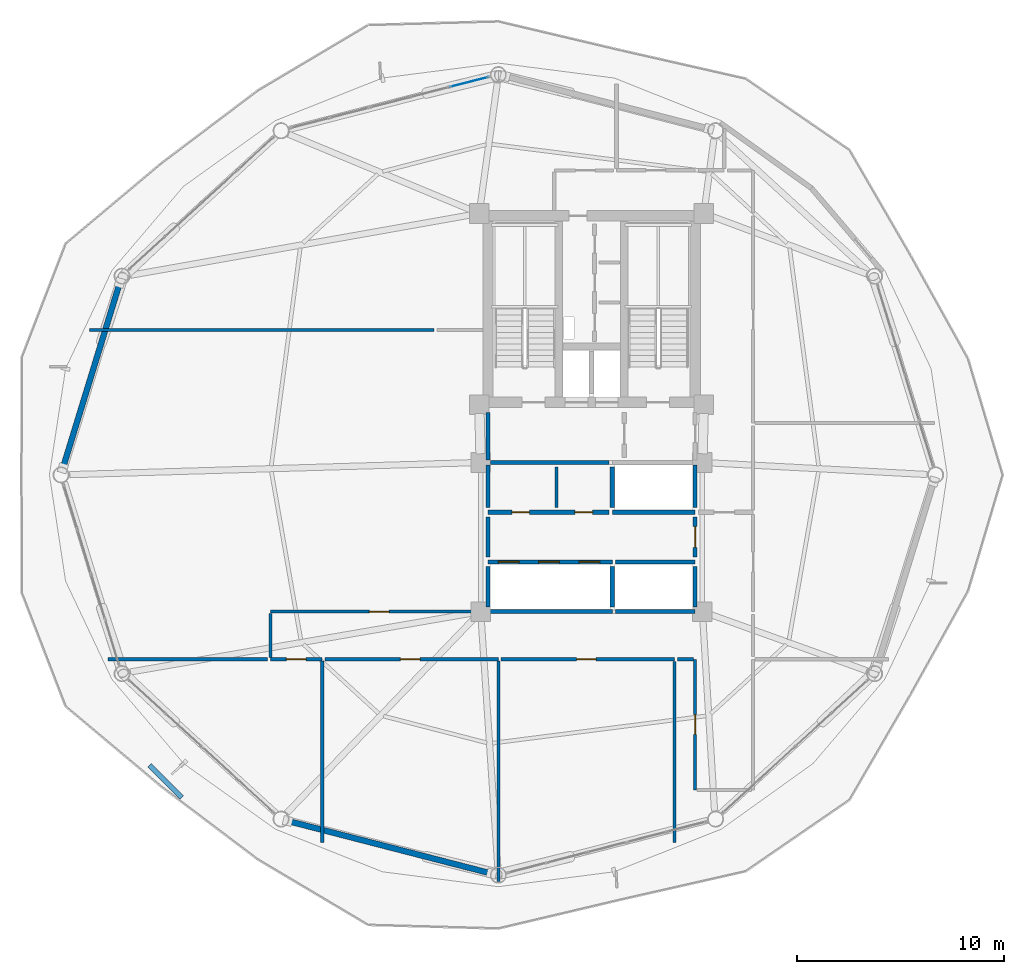
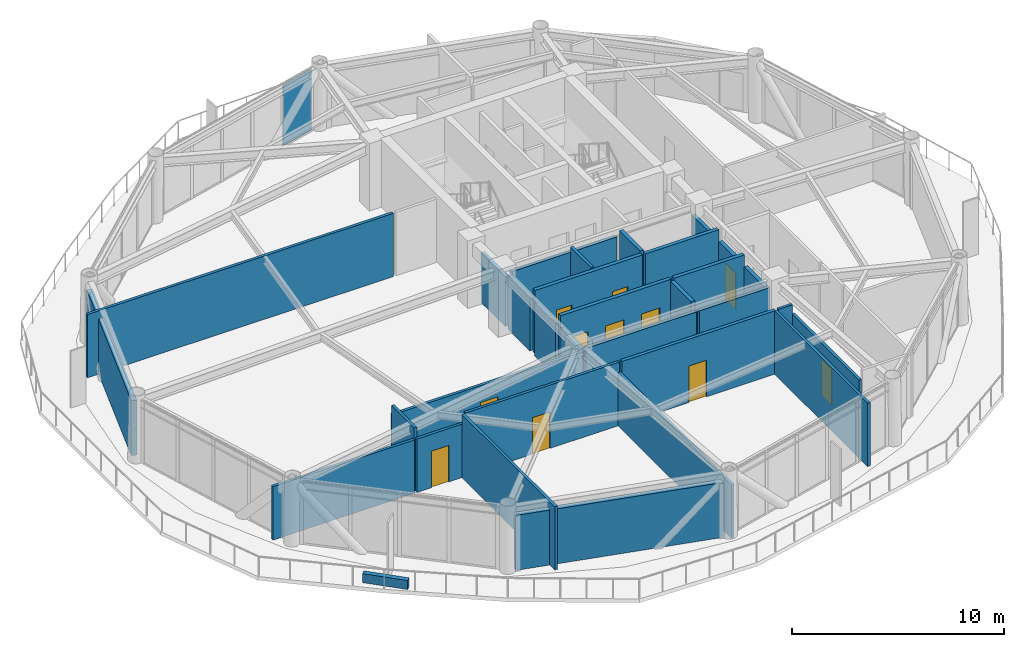
# One storey, part 18 of 23: 32 walls, 11 doors, 1 plate, 11 openings, 1 element without a shape of its own.
"""IFC4 building model written with IfcOpenShell, lengths in metres."""

import ifcopenshell
import ifcopenshell.guid

model = None  # the IFC model being written
_history = None  # IfcOwnerHistory: only IFC2X3 demands one
_inside = {}  # id of a spatial element -> (the spatial element, [elements in it])
_under = {}  # id of a project, library or spatial element -> (it, [spatial elements below it])
_declared = {}  # id of a project -> (the project, [libraries it declares])
_typed = {}  # id of a type object -> (the type object, [elements of that type])
_made_of = {}  # id of a material, layer set ... -> (it, [elements and type objects made of it])


def new_model(schema):
    """Start an empty IFC model of exactly this schema.

    Asked for "IFC4X3", IfcOpenShell would pick the latest addendum, in which some entities
    have other attributes; the version numbers below select the first issue.
    IFC2X3 requires an IfcOwnerHistory on every rooted entity: one is made here for all.
    """
    global model, _history
    if schema == "IFC4X3":
        model = ifcopenshell.file(schema_version=(4, 3, 0, 0))
    else:
        model = ifcopenshell.file(schema=schema)
    _inside.clear()
    _under.clear()
    _declared.clear()
    _typed.clear()
    _made_of.clear()
    _history = None
    if model.schema == "IFC2X3":
        org = make("IfcOrganization", Name="unknown")
        user = make(
            "IfcPersonAndOrganization",
            ThePerson=make("IfcPerson", FamilyName="unknown"),
            TheOrganization=org,
        )
        app = make(
            "IfcApplication",
            ApplicationDeveloper=org,
            Version="unknown",
            ApplicationFullName="unknown",
            ApplicationIdentifier="unknown",
        )
        _history = make(
            "IfcOwnerHistory",
            OwningUser=user,
            OwningApplication=app,
            ChangeAction="ADDED",
            CreationDate=0,
        )
    return model


def make(cls, **values):
    """One entity of the class cls with the attributes given. An attribute that is None is left unset."""
    return model.create_entity(
        cls, **{name: value for name, value in values.items() if value is not None}
    )


def rooted(cls, **values):
    """An entity with a GlobalId (a new one), such as an element, a storey or a relation."""
    return make(cls, GlobalId=ifcopenshell.guid.new(), OwnerHistory=_history, **values)


def si_unit(unit_type, name, prefix=None):
    """IfcSIUnit, for example si_unit("LENGTHUNIT", "METRE", prefix="MILLI")."""
    return make("IfcSIUnit", UnitType=unit_type, Prefix=prefix, Name=name)


def assignment(units):
    """IfcUnitAssignment: the units of a project."""
    return None if units is None else make("IfcUnitAssignment", Units=units)


def point(xyz):
    """IfcCartesianPoint."""
    return None if xyz is None else make("IfcCartesianPoint", Coordinates=xyz)


def direction(xyz):
    """IfcDirection."""
    return None if xyz is None else make("IfcDirection", DirectionRatios=xyz)


def frame(location, z_axis=None, x_axis=None):
    """IfcAxis2Placement3D, a coordinate frame: its origin and axes. An axis left out is left unset."""
    return make(
        "IfcAxis2Placement3D",
        Location=point(location),
        Axis=direction(z_axis),
        RefDirection=direction(x_axis),
    )


def frame_2d(location, x_axis=None):
    """IfcAxis2Placement2D, a coordinate frame in the plane: its origin and x axis."""
    return make(
        "IfcAxis2Placement2D", Location=point(location), RefDirection=direction(x_axis)
    )


def origin():
    """The frame at (0, 0, 0) with its axes left unset."""
    return frame((0.0, 0.0, 0.0))


def origin_2d():
    """The frame at (0, 0) in the plane with its x axis left unset."""
    return frame_2d((0.0, 0.0))


def place(relative_to, where):
    """IfcLocalPlacement: puts the frame where relative to a parent placement (None: the world)."""
    return make(
        "IfcLocalPlacement", PlacementRelTo=relative_to, RelativePlacement=where
    )


def context(
    kind, dimensions, precision=None, world=None, true_north=None, identifier=None
):
    """IfcGeometricRepresentationContext, for example the 3D "Model" context."""
    return make(
        "IfcGeometricRepresentationContext",
        ContextIdentifier=identifier,
        ContextType=kind,
        CoordinateSpaceDimension=dimensions,
        Precision=precision,
        WorldCoordinateSystem=world,
        TrueNorth=true_north,
    )


def subcontext(parent, identifier, kind, view, scale=None):
    """IfcGeometricRepresentationSubContext, for example "Body" below "Model"."""
    return make(
        "IfcGeometricRepresentationSubContext",
        ContextIdentifier=identifier,
        ContextType=kind,
        ParentContext=parent,
        TargetScale=scale,
        TargetView=view,
    )


def project(units=None, contexts=None):
    """IfcProject with its units and contexts."""
    return rooted(
        "IfcProject",
        Name="project",
        RepresentationContexts=contexts,
        UnitsInContext=assignment(units),
    )


def spatial(cls, under=None, at=None, **own):
    """A site, building, storey or space (cls), placed at a placement, below another one or the project."""
    s = rooted(cls, ObjectPlacement=at, **own)
    if under is not None:
        _under.setdefault(under.id(), (under, []))[1].append(s)
    return s


def profile(cls, at=None, kind="AREA", **sizes):
    """A parametric profile (cls). Its sizes go by their IFC names, for example OverallWidth=200.0."""
    return make(cls, ProfileType=kind, Position=at, **sizes)


def rectangle(**sizes):
    """IfcRectangleProfileDef."""
    return profile("IfcRectangleProfileDef", **sizes)


def extrude(swept, where, along, depth):
    """IfcExtrudedAreaSolid: the profile swept, set in the frame where, extruded along a direction by depth."""
    return make(
        "IfcExtrudedAreaSolid",
        SweptArea=swept,
        Position=where,
        ExtrudedDirection=direction(along),
        Depth=depth,
    )


def shape(context_of_items, identifier, shape_type, items):
    """IfcShapeRepresentation: the items that make up one representation, for example the "Body"."""
    return make(
        "IfcShapeRepresentation",
        ContextOfItems=context_of_items,
        RepresentationIdentifier=identifier,
        RepresentationType=shape_type,
        Items=items,
    )


def source(mapping_origin, context_of_items, identifier, shape_type, items):
    """IfcRepresentationMap: a shape defined once, which mapped items show again and again."""
    return make(
        "IfcRepresentationMap",
        MappingOrigin=mapping_origin,
        MappedRepresentation=shape(context_of_items, identifier, shape_type, items),
    )


def transform(
    local_origin,
    x_axis=None,
    y_axis=None,
    z_axis=None,
    scale=None,
    scale2=None,
    scale3=None,
    uniform=True,
):
    """IfcCartesianTransformationOperator3D, or its non-uniform kind. x_axis, y_axis, z_axis: its Axis1, 2, 3."""
    if uniform:
        return make(
            "IfcCartesianTransformationOperator3D",
            Axis1=direction(x_axis),
            Axis2=direction(y_axis),
            LocalOrigin=point(local_origin),
            Scale=scale,
            Axis3=direction(z_axis),
        )
    return make(
        "IfcCartesianTransformationOperator3DnonUniform",
        Axis1=direction(x_axis),
        Axis2=direction(y_axis),
        LocalOrigin=point(local_origin),
        Scale=scale,
        Axis3=direction(z_axis),
        Scale2=scale2,
        Scale3=scale3,
    )


def mapped(mapping_source, mapping_target):
    """IfcMappedItem: shows the shape of a source again, moved by a transform."""
    return make(
        "IfcMappedItem", MappingSource=mapping_source, MappingTarget=mapping_target
    )


def material(Name=None, Category=None):
    """IfcMaterial."""
    return make("IfcMaterial", Name=Name, Category=Category)


def layer(
    of_material, thickness, ventilated=None, Name=None, Category=None, Priority=None
):
    """IfcMaterialLayer: one layer of a wall or slab, of a material (None: an air gap)."""
    return make(
        "IfcMaterialLayer",
        Material=of_material,
        LayerThickness=thickness,
        IsVentilated=ventilated,
        Name=Name,
        Category=Category,
        Priority=Priority,
    )


def layer_set(layers, Name=None):
    """IfcMaterialLayerSet."""
    return make("IfcMaterialLayerSet", MaterialLayers=layers, LayerSetName=Name)


def made_of(thing, what):
    """Note that an element or type object is made of a material, layer set ...; save() writes the relation."""
    if what is not None:
        _made_of.setdefault(what.id(), (what, []))[1].append(thing)
    return thing


def type_object(cls, material=None, **own):
    """A type object (cls), such as IfcWallType, which elements share."""
    return made_of(rooted(cls, **own), material)


def type_shapes(of_type, sources):
    """Give a type object the sources (RepresentationMaps) that its elements show as mapped items."""
    of_type.RepresentationMaps = sources


def element(
    cls,
    number,
    at=None,
    inside=None,
    cuts=None,
    type_object=None,
    material=None,
    context=None,
    identifier="Body",
    shape_type=None,
    held_by="IfcProductDefinitionShape",
    body=None,
    shapes=None,
    **own,
):
    """One element of the class cls, such as IfcWall. Its Tag is "e" and its number.

    at: its placement. inside: the storey or other place that contains it. cuts: it is an
    opening in that element (IfcRelVoidsElement). A single representation is given by context,
    identifier, shape_type and body (its items); several are given by shapes. held_by: the class
    of the entity that holds the representations. save() writes the other relations.
    """
    e = rooted(cls, Tag="e%d" % number, ObjectPlacement=at, **own)
    if body is not None:
        shapes = [shape(context, identifier, shape_type, body)]
    if shapes is not None:
        e.Representation = make(held_by, Representations=shapes)
    if inside is not None:
        _inside.setdefault(inside.id(), (inside, []))[1].append(e)
    if cuts is not None:
        rooted(
            "IfcRelVoidsElement", RelatingBuildingElement=cuts, RelatedOpeningElement=e
        )
    if type_object is not None:
        _typed.setdefault(type_object.id(), (type_object, []))[1].append(e)
    return made_of(e, material)


def fill(opening, filler):
    """IfcRelFillsElement: the door or window that sits in an opening."""
    return rooted(
        "IfcRelFillsElement",
        RelatingOpeningElement=opening,
        RelatedBuildingElement=filler,
    )


def aggregate(whole, parts):
    """IfcRelAggregates: a whole, such as a stair, and the parts it consists of."""
    return rooted("IfcRelAggregates", RelatingObject=whole, RelatedObjects=parts)


def save(model, path):
    """Write the relations noted so far, then the file.

    IfcRelAggregates (storeys below a building ...), IfcRelContainedInSpatialStructure (elements
    in a storey), IfcRelDefinesByType, IfcRelAssociatesMaterial and IfcRelDeclares: one each for
    every whole, place, type object, material and project.
    """
    for whole, parts in _under.values():
        aggregate(whole, parts)
    for where, things in _inside.values():
        rooted(
            "IfcRelContainedInSpatialStructure",
            RelatedElements=things,
            RelatingStructure=where,
        )
    for kind, things in _typed.values():
        rooted("IfcRelDefinesByType", RelatedObjects=things, RelatingType=kind)
    for what, things in _made_of.values():
        rooted("IfcRelAssociatesMaterial", RelatedObjects=things, RelatingMaterial=what)
    for by, libraries in _declared.values():
        rooted("IfcRelDeclares", RelatingContext=by, RelatedDefinitions=libraries)
    model.write(path)


model = new_model("IFC4")

# Units and contexts
model_context = context("Model", 3, precision=1e-05, world=origin(), true_north=direction((0.0, 1.0)))
body_context = subcontext(model_context, "Body", "Model", "MODEL_VIEW")
ifc_project = project(units=[si_unit("LENGTHUNIT", "METRE"), si_unit("AREAUNIT", "SQUARE_METRE"), si_unit("VOLUMEUNIT", "CUBIC_METRE"), si_unit("PLANEANGLEUNIT", "RADIAN"), si_unit("MASSUNIT", "GRAM", prefix="KILO")], contexts=[model_context])

# Site, building, storey
site_placement = place(None, origin())
site = spatial("IfcSite", under=ifc_project, at=site_placement, CompositionType="ELEMENT")
building_placement = place(site_placement, origin())
building = spatial("IfcBuilding", under=site, at=building_placement, Name="Varnakorn Sky Granary", CompositionType="ELEMENT")
storey_placement = place(building_placement, frame((0.0, 0.0, 130.5)))
storey = spatial("IfcBuildingStorey", under=building, at=storey_placement, Name="L32", CompositionType="ELEMENT", Elevation=130.5)

# Curtain wall, plate
ifc_material_1 = material(Name="Anodised Bronze Aluminium Alloy 6063-T6", Category="aluminium")
ifc_layer_1 = layer(ifc_material_1, 0.179931640625, Name="Anodised Bronze Aluminium Alloy 6063-T6")
ifc_layer_set_1 = layer_set([ifc_layer_1], Name="Anodised Bronze Aluminium Alloy 6063-T6")
curtain_wall_type = type_object("IfcCurtainWallType", Name="CW-FRM-2", PredefinedType="USERDEFINED", material=ifc_layer_set_1)
curtain_wall_placement = place(storey_placement, origin())
curtain_wall = element("IfcCurtainWall", 1, at=curtain_wall_placement, inside=storey, type_object=curtain_wall_type, Name="Unitised Curtain Wall CW4 CW-L32-B04", ObjectType="CURTAIN WALL", PredefinedType="USERDEFINED")
ifc_material_2 = material(Name="Opaque Insulated Aluminium Shadow-Box Unit", Category="aluminium")
ifc_layer_2 = layer(ifc_material_2, 0.02587890625, Name="Opaque Insulated Aluminium Shadow-Box Unit")
ifc_layer_set_2 = layer_set([ifc_layer_2], Name="Opaque Insulated Aluminium Shadow-Box Unit")
plate_type = type_object("IfcPlateType", Name="CW-FRM-2-PNL", PredefinedType="CURTAIN_PANEL")
shared_shape = source(origin(), body_context, "Body", "SweptSolid", [
    extrude(rectangle(XDim=1.885498046875, YDim=0.02587890625, at=origin_2d()), origin(), (0.0, 0.0, 1.0), 3.510009765625),
])
type_shapes(plate_type, [shared_shape])
plate_placement = place(storey_placement, frame((-2.90771484375, 18.962890625, 0.06494140625), z_axis=(0.0, 0.0, 1.0), x_axis=(0.968303276034, 0.249777432172, 0.0)))
plate = element("IfcPlate", 2, at=plate_placement, type_object=plate_type, material=ifc_layer_set_2, Name="CW4 opaque insulated shadow-box unit 5.1", PredefinedType="CURTAIN_PANEL", context=body_context, shape_type="MappedRepresentation", body=[
    mapped(shared_shape, transform((0.0, 0.0, 0.0), x_axis=(1.0, 0.0, 0.0), y_axis=(0.0, 1.0, 0.0), z_axis=(0.0, 0.0, 1.0), scale=1.0)),
])
aggregate(curtain_wall, [plate])

# Walls
ifc_material_3 = material(Name="Precast concrete C40/50", Category="concrete")
ifc_layer_3 = layer(ifc_material_3, 0.280029296875, Name="Precast concrete C40/50")
ifc_layer_set_3 = layer_set([ifc_layer_3], Name="Precast concrete C40/50")
wall_type_1 = type_object("IfcWallType", Name="WT-EW-CRN-280", PredefinedType="SOLIDWALL", material=ifc_layer_set_3)
wall_1_placement = place(storey_placement, frame((-22.518310546875, 0.3212890625, 0.0), z_axis=(0.0, 0.0, 1.0), x_axis=(0.293497787305, 0.955959752734, 0.0)))
element("IfcWall", 3, at=wall_1_placement, inside=storey, type_object=wall_type_1, Name="Agritech Insulated Precast Facade Wall L32-P06", PredefinedType="SOLIDWALL", context=body_context, shape_type="SweptSolid", body=[
    extrude(rectangle(XDim=9.365478515625, YDim=0.280029296875, at=frame_2d((4.6826171875, 0.0))), origin(), (0.0, 0.0, 1.0), 3.159912109375),
])
wall_2_placement = place(storey_placement, frame((-1.825439453125, -19.2421875, 0.0), z_axis=(0.0, 0.0, 1.0), x_axis=(-0.968302257356, 0.249781381211, 0.0)))
element("IfcWall", 4, at=wall_2_placement, inside=storey, type_object=wall_type_1, Name="Agritech Insulated Precast Facade Wall L32-P09", PredefinedType="SOLIDWALL", context=body_context, shape_type="SweptSolid", body=[
    extrude(rectangle(XDim=10.162109375, YDim=0.280029296875, at=frame_2d((5.0810546875, 0.0))), origin(), (0.0, 0.0, 1.0), 3.159912109375),
])

# Wall, opening, door
ifc_material_4 = material(Name="Autoclaved Aerated Concrete Blockwork", Category="masonry")
ifc_layer_4 = layer(ifc_material_4, 0.199951171875, Name="Autoclaved Aerated Concrete Blockwork")
ifc_layer_set_4 = layer_set([ifc_layer_4], Name="Autoclaved Aerated Concrete Blockwork")
wall_type_2 = type_object("IfcWallType", Name="WT-FIRE-200", PredefinedType="MOVABLE", material=ifc_layer_set_4)
wall_3_placement = place(storey_placement, frame((8.0, -3.969970703125, 0.0), z_axis=(0.0, 0.0, 1.0), x_axis=(0.0, 1.0, 0.0)))
wall_3 = element("IfcWall", 5, at=wall_3_placement, inside=storey, type_object=wall_type_2, Name="Interior Partition Wall L32-016", PredefinedType="MOVABLE", context=body_context, shape_type="SweptSolid", body=[
    extrude(rectangle(XDim=1.93994140625, YDim=0.199951171875, at=frame_2d((0.969970703125, 0.0))), origin(), (0.0, 0.0, 1.0), 3.072021484375),
])
opening_1_placement = place(wall_3_placement, frame((0.469970703125, 0.0, 0.0)))
opening_1 = element("IfcOpeningElement", 6, at=opening_1_placement, cuts=wall_3, Name="Opening FD-60", PredefinedType="OPENING", context=body_context, shape_type="SweptSolid", body=[
    extrude(rectangle(XDim=1.0, YDim=2.10009765625, at=frame_2d((0.5, 1.050048828125))), frame((0.0, 0.10986328125, 0.0), z_axis=(0.0, -1.0, 0.0), x_axis=(1.0, 0.0, 0.0)), (0.0, 0.0, 1.0), 0.219970703125),
])
ifc_material_5 = material(Name="Acoustic Timber Fire Leaf", Category="wood")
door_type_1 = type_object("IfcDoorType", Name="DR-FD60-1000", OperationType="NOTDEFINED", PredefinedType="DOOR", material=ifc_material_5)
door_1_placement = place(opening_1_placement, origin())
door_1 = element("IfcDoor", 7, at=door_1_placement, inside=storey, type_object=door_type_1, Name="Interior Door L32-016-1", OperationType="SINGLE_SWING_RIGHT", OverallHeight=2.10009765625, OverallWidth=1.0, PredefinedType="DOOR", context=body_context, shape_type="SweptSolid", body=[
    extrude(rectangle(XDim=1.0, YDim=2.10009765625, at=frame_2d((0.5, 1.050048828125))), frame((0.0, 0.02490234375, 0.0), z_axis=(0.0, -1.0, 0.0), x_axis=(1.0, 0.0, 0.0)), (0.0, 0.0, 1.0), 0.050048828125),
])
fill(opening_1, door_1)

# Wall, openings, doors
wall_4_placement = place(storey_placement, frame((-2.0, -1.800048828125, 0.0), z_axis=(0.0, 0.0, 1.0), x_axis=(1.0, 0.0, 0.0)))
wall_4 = element("IfcWall", 8, at=wall_4_placement, inside=storey, type_object=wall_type_2, Name="Interior Partition Wall L32-017", PredefinedType="MOVABLE", context=body_context, shape_type="SweptSolid", body=[
    extrude(rectangle(XDim=5.840087890625, YDim=0.199951171875, at=frame_2d((2.919921875, 0.0))), origin(), (0.0, 0.0, 1.0), 3.639892578125),
])
opening_2_placement = place(wall_4_placement, frame((1.14990234375, 0.0, 0.0)))
opening_2 = element("IfcOpeningElement", 9, at=opening_2_placement, cuts=wall_4, Name="Opening FD-60N", PredefinedType="OPENING", context=body_context, shape_type="SweptSolid", body=[
    extrude(rectangle(XDim=0.85009765625, YDim=2.10009765625, at=frame_2d((0.425048828125, 1.050048828125))), frame((0.0, 0.10986328125, 0.0), z_axis=(0.0, -1.0, 0.0), x_axis=(1.0, 0.0, 0.0)), (0.0, 0.0, 1.0), 0.219970703125),
])
opening_3_placement = place(wall_4_placement, frame((4.199951171875, 0.0, 0.0)))
opening_3 = element("IfcOpeningElement", 10, at=opening_3_placement, cuts=wall_4, Name="Opening FD-60N", PredefinedType="OPENING", context=body_context, shape_type="SweptSolid", body=[
    extrude(rectangle(XDim=0.85009765625, YDim=2.10009765625, at=frame_2d((0.425048828125, 1.050048828125))), frame((0.0, 0.10986328125, 0.0), z_axis=(0.0, -1.0, 0.0), x_axis=(1.0, 0.0, 0.0)), (0.0, 0.0, 1.0), 0.219970703125),
])
door_type_2 = type_object("IfcDoorType", Name="DR-FD60-850", OperationType="NOTDEFINED", PredefinedType="DOOR", material=ifc_material_5)
door_2_placement = place(opening_2_placement, origin())
door_2 = element("IfcDoor", 11, at=door_2_placement, inside=storey, type_object=door_type_2, Name="Interior Door L32-017-1", OperationType="SINGLE_SWING_LEFT", OverallHeight=2.10009765625, OverallWidth=0.85009765625, PredefinedType="DOOR", context=body_context, shape_type="SweptSolid", body=[
    extrude(rectangle(XDim=0.85009765625, YDim=2.10009765625, at=frame_2d((0.425048828125, 1.050048828125))), frame((0.0, 0.02490234375, 0.0), z_axis=(0.0, -1.0, 0.0), x_axis=(1.0, 0.0, 0.0)), (0.0, 0.0, 1.0), 0.050048828125),
])
fill(opening_2, door_2)
door_3_placement = place(opening_3_placement, origin())
door_3 = element("IfcDoor", 12, at=door_3_placement, inside=storey, type_object=door_type_2, Name="Interior Door L32-017-2", OperationType="SINGLE_SWING_RIGHT", OverallHeight=2.10009765625, OverallWidth=0.85009765625, PredefinedType="DOOR", context=body_context, shape_type="SweptSolid", body=[
    extrude(rectangle(XDim=0.85009765625, YDim=2.10009765625, at=frame_2d((0.425048828125, 1.050048828125))), frame((0.0, 0.02490234375, 0.0), z_axis=(0.0, -1.0, 0.0), x_axis=(1.0, 0.0, 0.0)), (0.0, 0.0, 1.0), 0.050048828125),
])
fill(opening_3, door_3)

# Walls
wall_5_placement = place(storey_placement, frame((-1.8798828125, 0.60009765625, 0.0), z_axis=(0.0, 0.0, 1.0), x_axis=(1.0, 0.0, 0.0)))
element("IfcWall", 13, at=wall_5_placement, inside=storey, type_object=wall_type_2, Name="Interior Partition Wall L32-030", PredefinedType="MOVABLE", context=body_context, shape_type="SweptSolid", body=[
    extrude(rectangle(XDim=5.719970703125, YDim=0.199951171875, at=frame_2d((2.85986328125, 0.0))), origin(), (0.0, 0.0, 1.0), 3.221923828125),
])
wall_6_placement = place(storey_placement, frame((-2.0, 0.719970703125, 0.0), z_axis=(0.0, 0.0, 1.0), x_axis=(0.0, 1.0, 0.0)))
element("IfcWall", 14, at=wall_6_placement, inside=storey, type_object=wall_type_2, Name="Interior Partition Wall L32-031", PredefinedType="MOVABLE", context=body_context, shape_type="SweptSolid", body=[
    extrude(rectangle(XDim=2.300048828125, YDim=0.199951171875, at=frame_2d((1.14990234375, 0.0))), origin(), (0.0, 0.0, 1.0), 2.8720703125),
])
wall_7_placement = place(storey_placement, frame((-2.0, -3.969970703125, 0.0), z_axis=(0.0, 0.0, 1.0), x_axis=(0.0, 1.0, 0.0)))
element("IfcWall", 15, at=wall_7_placement, inside=storey, type_object=wall_type_2, Name="Interior Partition Wall L32-032", PredefinedType="MOVABLE", context=body_context, shape_type="SweptSolid", body=[
    extrude(rectangle(XDim=1.93994140625, YDim=0.199951171875, at=frame_2d((0.969970703125, 0.0))), origin(), (0.0, 0.0, 1.0), 3.02197265625),
])
wall_8_placement = place(storey_placement, frame((-2.0, -1.570068359375, 0.0), z_axis=(0.0, 0.0, 1.0), x_axis=(0.0, 1.0, 0.0)))
element("IfcWall", 16, at=wall_8_placement, inside=storey, type_object=wall_type_2, Name="Interior Partition Wall L32-034", PredefinedType="MOVABLE", context=body_context, shape_type="SweptSolid", body=[
    extrude(rectangle(XDim=2.050048828125, YDim=0.199951171875, at=frame_2d((1.02490234375, 0.0))), origin(), (0.0, 0.0, 1.0), 3.02197265625),
])

# Wall, opening, door
ifc_material_6 = material(Name="Gypsum Plasterboard on Steel Stud", Category="steel")
ifc_layer_5 = layer(ifc_material_6, 0.14990234375, Name="Gypsum Plasterboard on Steel Stud")
ifc_layer_set_5 = layer_set([ifc_layer_5], Name="Gypsum Plasterboard on Steel Stud")
wall_type_3 = type_object("IfcWallType", Name="WT-PART-150", PredefinedType="PARTITIONING", material=ifc_layer_set_5)
wall_9_placement = place(storey_placement, frame((-12.5, -8.89990234375, 0.0), z_axis=(0.0, 0.0, 1.0), x_axis=(1.0, 0.0, 0.0)))
wall_9 = element("IfcWall", 17, at=wall_9_placement, inside=storey, type_object=wall_type_3, Name="Interior Partition Wall L32-020", PredefinedType="PARTITIONING", context=body_context, shape_type="SweptSolid", body=[
    extrude(rectangle(XDim=2.5, YDim=0.14990234375, at=frame_2d((1.25, 0.0))), origin(), (0.0, 0.0, 1.0), 3.072021484375),
])
opening_4_placement = place(wall_9_placement, frame((0.77490234375, 0.0, 0.0)))
opening_4 = element("IfcOpeningElement", 18, at=opening_4_placement, cuts=wall_9, Name="Opening ID-95", PredefinedType="OPENING", context=body_context, shape_type="SweptSolid", body=[
    extrude(rectangle(XDim=0.949951171875, YDim=2.10009765625, at=frame_2d((0.47509765625, 1.050048828125))), frame((0.0, 0.0849609375, 0.0), z_axis=(0.0, -1.0, 0.0), x_axis=(1.0, 0.0, 0.0)), (0.0, 0.0, 1.0), 0.169921875),
])
ifc_material_7 = material(Name="Solid-Core Teak Veneer Leaf", Category="timber")
door_type_3 = type_object("IfcDoorType", Name="DR-INT-950", OperationType="NOTDEFINED", PredefinedType="DOOR", material=ifc_material_7)
door_4_placement = place(opening_4_placement, origin())
door_4 = element("IfcDoor", 19, at=door_4_placement, inside=storey, type_object=door_type_3, Name="Interior Door L32-020-1", OperationType="SINGLE_SWING_LEFT", OverallHeight=2.10009765625, OverallWidth=0.949951171875, PredefinedType="DOOR", context=body_context, shape_type="SweptSolid", body=[
    extrude(rectangle(XDim=0.949951171875, YDim=2.10009765625, at=frame_2d((0.47509765625, 1.050048828125))), frame((0.0, 0.02490234375, 0.0), z_axis=(0.0, -1.0, 0.0), x_axis=(1.0, 0.0, 0.0)), (0.0, 0.0, 1.0), 0.050048828125),
])
fill(opening_4, door_4)

wall_10_placement = place(storey_placement, frame((-9.864990234375, -8.89990234375, 0.0), z_axis=(0.0, 0.0, 1.0), x_axis=(1.0, 0.0, 0.0)))
wall_10 = element("IfcWall", 20, at=wall_10_placement, inside=storey, type_object=wall_type_3, Name="Interior Partition Wall L32-021", PredefinedType="PARTITIONING", context=body_context, shape_type="SweptSolid", body=[
    extrude(rectangle(XDim=8.364990234375, YDim=0.14990234375, at=frame_2d((4.1826171875, 0.0))), origin(), (0.0, 0.0, 1.0), 3.639892578125),
])
opening_5_placement = place(wall_10_placement, frame((3.639892578125, 0.0, 0.0)))
opening_5 = element("IfcOpeningElement", 21, at=opening_5_placement, cuts=wall_10, Name="Opening ID-95", PredefinedType="OPENING", context=body_context, shape_type="SweptSolid", body=[
    extrude(rectangle(XDim=0.949951171875, YDim=2.10009765625, at=frame_2d((0.47509765625, 1.050048828125))), frame((0.0, 0.0849609375, 0.0), z_axis=(0.0, -1.0, 0.0), x_axis=(1.0, 0.0, 0.0)), (0.0, 0.0, 1.0), 0.169921875),
])
door_5_placement = place(opening_5_placement, origin())
door_5 = element("IfcDoor", 22, at=door_5_placement, inside=storey, type_object=door_type_3, Name="Interior Door L32-021-1", OperationType="SINGLE_SWING_RIGHT", OverallHeight=2.10009765625, OverallWidth=0.949951171875, PredefinedType="DOOR", context=body_context, shape_type="SweptSolid", body=[
    extrude(rectangle(XDim=0.949951171875, YDim=2.10009765625, at=frame_2d((0.47509765625, 1.050048828125))), frame((0.0, 0.02490234375, 0.0), z_axis=(0.0, -1.0, 0.0), x_axis=(1.0, 0.0, 0.0)), (0.0, 0.0, 1.0), 0.050048828125),
])
fill(opening_5, door_5)

wall_11_placement = place(storey_placement, frame((8.0, -8.89990234375, 0.0), z_axis=(0.0, 0.0, 1.0), x_axis=(0.0, -1.0, 0.0)))
wall_11 = element("IfcWall", 23, at=wall_11_placement, inside=storey, type_object=wall_type_3, Name="Interior Partition Wall L32-023", PredefinedType="PARTITIONING", context=body_context, shape_type="SweptSolid", body=[
    extrude(rectangle(XDim=6.300048828125, YDim=0.14990234375, at=frame_2d((3.14990234375, 0.0))), origin(), (0.0, 0.0, 1.0), 3.072021484375),
])
opening_6_placement = place(wall_11_placement, frame((2.675048828125, 0.0, 0.0)))
opening_6 = element("IfcOpeningElement", 24, at=opening_6_placement, cuts=wall_11, Name="Opening ID-95", PredefinedType="OPENING", context=body_context, shape_type="SweptSolid", body=[
    extrude(rectangle(XDim=0.949951171875, YDim=2.10009765625, at=frame_2d((0.47509765625, 1.050048828125))), frame((0.0, 0.0849609375, 0.0), z_axis=(0.0, -1.0, 0.0), x_axis=(1.0, 0.0, 0.0)), (0.0, 0.0, 1.0), 0.169921875),
])
door_6_placement = place(opening_6_placement, origin())
door_6 = element("IfcDoor", 25, at=door_6_placement, inside=storey, type_object=door_type_3, Name="Interior Door L32-023-1", OperationType="SINGLE_SWING_RIGHT", OverallHeight=2.10009765625, OverallWidth=0.949951171875, PredefinedType="DOOR", context=body_context, shape_type="SweptSolid", body=[
    extrude(rectangle(XDim=0.949951171875, YDim=2.10009765625, at=frame_2d((0.47509765625, 1.050048828125))), frame((0.0, 0.02490234375, 0.0), z_axis=(0.0, -1.0, 0.0), x_axis=(1.0, 0.0, 0.0)), (0.0, 0.0, 1.0), 0.050048828125),
])
fill(opening_6, door_6)

wall_12_placement = place(storey_placement, frame((-2.159912109375, -6.60009765625, 0.0), z_axis=(0.0, 0.0, 1.0), x_axis=(-1.0, 0.0, 0.0)))
wall_12 = element("IfcWall", 26, at=wall_12_placement, inside=storey, type_object=wall_type_3, Name="Interior Partition Wall L32-024", PredefinedType="PARTITIONING", context=body_context, shape_type="SweptSolid", body=[
    extrude(rectangle(XDim=10.340087890625, YDim=0.14990234375, at=frame_2d((5.169921875, 0.0))), origin(), (0.0, 0.0, 1.0), 3.072021484375),
])
opening_7_placement = place(wall_12_placement, frame((4.614990234375, 0.0, 0.0)))
opening_7 = element("IfcOpeningElement", 27, at=opening_7_placement, cuts=wall_12, Name="Opening ID-95", PredefinedType="OPENING", context=body_context, shape_type="SweptSolid", body=[
    extrude(rectangle(XDim=0.949951171875, YDim=2.10009765625, at=frame_2d((0.47509765625, 1.050048828125))), frame((0.0, 0.0849609375, 0.0), z_axis=(0.0, -1.0, 0.0), x_axis=(1.0, 0.0, 0.0)), (0.0, 0.0, 1.0), 0.169921875),
])
door_7_placement = place(opening_7_placement, origin())
door_7 = element("IfcDoor", 28, at=door_7_placement, inside=storey, type_object=door_type_3, Name="Interior Door L32-024-1", OperationType="SINGLE_SWING_LEFT", OverallHeight=2.10009765625, OverallWidth=0.949951171875, PredefinedType="DOOR", context=body_context, shape_type="SweptSolid", body=[
    extrude(rectangle(XDim=0.949951171875, YDim=2.10009765625, at=frame_2d((0.47509765625, 1.050048828125))), frame((0.0, 0.02490234375, 0.0), z_axis=(0.0, -1.0, 0.0), x_axis=(1.0, 0.0, 0.0)), (0.0, 0.0, 1.0), 0.050048828125),
])
fill(opening_7, door_7)

# Walls
wall_13_placement = place(storey_placement, frame((1.300048828125, -1.570068359375, 0.0), z_axis=(0.0, 0.0, 1.0), x_axis=(0.0, 1.0, 0.0)))
element("IfcWall", 29, at=wall_13_placement, inside=storey, type_object=wall_type_3, Name="Interior Partition Wall L32-033", PredefinedType="PARTITIONING", context=body_context, shape_type="SweptSolid", body=[
    extrude(rectangle(XDim=1.940185546875, YDim=0.14990234375, at=frame_2d((0.97021484375, 0.0))), origin(), (0.0, 0.0, 1.0), 3.639892578125),
])
wall_14_placement = place(storey_placement, frame((-10.0, -8.985107421875, 0.0), z_axis=(0.0, 0.0, 1.0), x_axis=(0.0, -1.0, 0.0)))
element("IfcWall", 30, at=wall_14_placement, inside=storey, type_object=wall_type_3, Name="Interior Partition Wall L32-036", PredefinedType="PARTITIONING", context=body_context, shape_type="SweptSolid", body=[
    extrude(rectangle(XDim=8.7578125, YDim=0.14990234375, at=frame_2d((4.37890625, 0.0))), origin(), (0.0, 0.0, 1.0), 3.639892578125),
])
wall_15_placement = place(storey_placement, frame((-20.342041015625, -8.89990234375, 0.0), z_axis=(0.0, 0.0, 1.0), x_axis=(1.0, 0.0, 0.0)))
element("IfcWall", 31, at=wall_15_placement, inside=storey, type_object=wall_type_3, Name="Interior Partition Wall L32-037", PredefinedType="PARTITIONING", context=body_context, shape_type="SweptSolid", body=[
    extrude(rectangle(XDim=7.70703125, YDim=0.14990234375, at=frame_2d((3.853515625, 0.0))), origin(), (0.0, 0.0, 1.0), 3.072021484375),
])
wall_16_placement = place(storey_placement, frame((-1.5, -8.985107421875, 0.0), z_axis=(0.0, 0.0, 1.0), x_axis=(0.0, -1.0, 0.0)))
element("IfcWall", 32, at=wall_16_placement, inside=storey, type_object=wall_type_3, Name="Interior Partition Wall L32-038", PredefinedType="PARTITIONING", context=body_context, shape_type="SweptSolid", body=[
    extrude(rectangle(XDim=10.65087890625, YDim=0.14990234375, at=frame_2d((5.325439453125, 0.0))), origin(), (0.0, 0.0, 1.0), 3.072021484375),
])
wall_17_placement = place(storey_placement, frame((7.0, -9.0, 0.0), z_axis=(0.0, 0.0, 1.0), x_axis=(0.0, -1.0, 0.0)))
element("IfcWall", 33, at=wall_17_placement, inside=storey, type_object=wall_type_3, Name="Interior Partition Wall L32-039", PredefinedType="PARTITIONING", context=body_context, shape_type="SweptSolid", body=[
    extrude(rectangle(XDim=8.742919921875, YDim=0.14990234375, at=frame_2d((4.37158203125, 0.0))), origin(), (0.0, 0.0, 1.0), 3.639892578125),
])
wall_18_placement = place(storey_placement, frame((7.14990234375, -8.89990234375, 0.0), z_axis=(0.0, 0.0, 1.0), x_axis=(1.0, 0.0, 0.0)))
element("IfcWall", 34, at=wall_18_placement, inside=storey, type_object=wall_type_3, Name="Interior Partition Wall L32-042", PredefinedType="PARTITIONING", context=body_context, shape_type="SweptSolid", body=[
    extrude(rectangle(XDim=0.76513671875, YDim=0.14990234375, at=frame_2d((0.382568359375, 0.0))), origin(), (0.0, 0.0, 1.0), 3.639892578125),
])
wall_19_placement = place(storey_placement, frame((-12.5, -6.68505859375, 0.0), z_axis=(0.0, 0.0, 1.0), x_axis=(0.0, -1.0, 0.0)))
element("IfcWall", 35, at=wall_19_placement, inside=storey, type_object=wall_type_3, Name="Interior Partition Wall L32-044", PredefinedType="PARTITIONING", context=body_context, shape_type="SweptSolid", body=[
    extrude(rectangle(XDim=2.1298828125, YDim=0.14990234375, at=frame_2d((1.06494140625, 0.0))), origin(), (0.0, 0.0, 1.0), 3.639892578125),
])
wall_20_placement = place(storey_placement, frame((-21.240966796875, 7.0, 0.0), z_axis=(0.0, 0.0, 1.0), x_axis=(1.0, 0.0, 0.0)))
element("IfcWall", 36, at=wall_20_placement, inside=storey, type_object=wall_type_3, Name="Interior Partition Wall L32-045", PredefinedType="PARTITIONING", context=body_context, shape_type="SweptSolid", body=[
    extrude(rectangle(XDim=16.640869140625, YDim=0.14990234375, at=frame_2d((8.3203125, 0.0))), origin(), (0.0, 0.0, 1.0), 3.639892578125),
])

# Wall, opening, door
ifc_material_8 = material(Name="Moisture-Resistant Gypsum on Stud", Category="gypsum")
ifc_layer_6 = layer(ifc_material_8, 0.179931640625, Name="Moisture-Resistant Gypsum on Stud")
ifc_layer_set_6 = layer_set([ifc_layer_6], Name="Moisture-Resistant Gypsum on Stud")
wall_type_4 = type_object("IfcWallType", Name="WT-PLUMB-180", PredefinedType="PLUMBINGWALL", material=ifc_layer_set_6)
wall_21_placement = place(storey_placement, frame((-1.364990234375, -8.89990234375, 0.0), z_axis=(0.0, 0.0, 1.0), x_axis=(1.0, 0.0, 0.0)))
wall_21 = element("IfcWall", 37, at=wall_21_placement, inside=storey, type_object=wall_type_4, Name="Interior Partition Wall L32-022", PredefinedType="PLUMBINGWALL", context=body_context, shape_type="SweptSolid", body=[
    extrude(rectangle(XDim=8.364990234375, YDim=0.179931640625, at=frame_2d((4.1826171875, 0.0))), origin(), (0.0, 0.0, 1.0), 3.639892578125),
])
opening_8_placement = place(wall_21_placement, frame((3.639892578125, 0.0, 0.0)))
opening_8 = element("IfcOpeningElement", 38, at=opening_8_placement, cuts=wall_21, Name="Opening ID-95", PredefinedType="OPENING", context=body_context, shape_type="SweptSolid", body=[
    extrude(rectangle(XDim=0.949951171875, YDim=2.10009765625, at=frame_2d((0.47509765625, 1.050048828125))), frame((0.0, 0.10009765625, 0.0), z_axis=(0.0, -1.0, 0.0), x_axis=(1.0, 0.0, 0.0)), (0.0, 0.0, 1.0), 0.199951171875),
])
door_8_placement = place(opening_8_placement, origin())
door_8 = element("IfcDoor", 39, at=door_8_placement, inside=storey, type_object=door_type_3, Name="Interior Door L32-022-1", OperationType="SINGLE_SWING_LEFT", OverallHeight=2.10009765625, OverallWidth=0.949951171875, PredefinedType="DOOR", context=body_context, shape_type="SweptSolid", body=[
    extrude(rectangle(XDim=0.949951171875, YDim=2.10009765625, at=frame_2d((0.47509765625, 1.050048828125))), frame((0.0, 0.02490234375, 0.0), z_axis=(0.0, -1.0, 0.0), x_axis=(1.0, 0.0, 0.0)), (0.0, 0.0, 1.0), 0.050048828125),
])
fill(opening_8, door_8)

# Walls
ifc_layer_7 = layer(ifc_material_4, 0.199951171875, Name="Autoclaved Aerated Concrete Blockwork")
ifc_layer_set_7 = layer_set([ifc_layer_7], Name="Autoclaved Aerated Concrete Blockwork")
wall_type_5 = type_object("IfcWallType", Name="WT-SHAFT-200", PredefinedType="SOLIDWALL", material=ifc_layer_set_7)
wall_22_placement = place(storey_placement, frame((4.0, -1.800048828125, 0.0), z_axis=(0.0, 0.0, 1.0), x_axis=(1.0, 0.0, 0.0)))
element("IfcWall", 40, at=wall_22_placement, inside=storey, type_object=wall_type_5, Name="Interior Partition Wall L32-003", PredefinedType="SOLIDWALL", context=body_context, shape_type="SweptSolid", body=[
    extrude(rectangle(XDim=4.0, YDim=0.199951171875, at=frame_2d((2.0, 0.0))), origin(), (0.0, 0.0, 1.0), 3.639892578125),
])
wall_23_placement = place(storey_placement, frame((4.0, -1.570068359375, 0.0), z_axis=(0.0, 0.0, 1.0), x_axis=(0.0, 1.0, 0.0)))
element("IfcWall", 41, at=wall_23_placement, inside=storey, type_object=wall_type_5, Name="Interior Partition Wall L32-004", PredefinedType="SOLIDWALL", context=body_context, shape_type="SweptSolid", body=[
    extrude(rectangle(XDim=1.940185546875, YDim=0.199951171875, at=frame_2d((0.97021484375, 0.0))), origin(), (0.0, 0.0, 1.0), 3.639892578125),
])
wall_24_placement = place(storey_placement, frame((8.0, -1.570068359375, 0.0), z_axis=(0.0, 0.0, 1.0), x_axis=(0.0, 1.0, 0.0)))
element("IfcWall", 42, at=wall_24_placement, inside=storey, type_object=wall_type_5, Name="Interior Partition Wall L32-005", PredefinedType="SOLIDWALL", context=body_context, shape_type="SweptSolid", body=[
    extrude(rectangle(XDim=2.050048828125, YDim=0.199951171875, at=frame_2d((1.02490234375, 0.0))), origin(), (0.0, 0.0, 1.0), 3.072021484375),
])

# Wall, openings, doors
wall_25_placement = place(storey_placement, frame((-2.0, -4.199951171875, 0.0), z_axis=(0.0, 0.0, 1.0), x_axis=(1.0, 0.0, 0.0)))
wall_25 = element("IfcWall", 43, at=wall_25_placement, inside=storey, type_object=wall_type_5, Name="Interior Partition Wall L32-006", PredefinedType="SOLIDWALL", context=body_context, shape_type="SweptSolid", body=[
    extrude(rectangle(XDim=6.0, YDim=0.199951171875, at=frame_2d((3.0, 0.0))), origin(), (0.0, 0.0, 1.0), 3.639892578125),
])
opening_9_placement = place(wall_25_placement, frame((0.5, 0.0, 0.0)))
opening_9 = element("IfcOpeningElement", 44, at=opening_9_placement, cuts=wall_25, Name="Opening LD-03", PredefinedType="OPENING", context=body_context, shape_type="SweptSolid", body=[
    extrude(rectangle(XDim=1.0, YDim=2.199951171875, at=frame_2d((0.5, 1.10009765625))), frame((0.0, 0.10986328125, 0.0), z_axis=(0.0, -1.0, 0.0), x_axis=(1.0, 0.0, 0.0)), (0.0, 0.0, 1.0), 0.219970703125),
])
opening_10_placement = place(wall_25_placement, frame((2.449951171875, 0.0, 0.0)))
opening_10 = element("IfcOpeningElement", 45, at=opening_10_placement, cuts=wall_25, Name="Opening LD-03", PredefinedType="OPENING", context=body_context, shape_type="SweptSolid", body=[
    extrude(rectangle(XDim=1.0, YDim=2.199951171875, at=frame_2d((0.5, 1.10009765625))), frame((0.0, 0.10986328125, 0.0), z_axis=(0.0, -1.0, 0.0), x_axis=(1.0, 0.0, 0.0)), (0.0, 0.0, 1.0), 0.219970703125),
])
opening_11_placement = place(wall_25_placement, frame((4.39990234375, 0.0, 0.0)))
opening_11 = element("IfcOpeningElement", 46, at=opening_11_placement, cuts=wall_25, Name="Opening LD-03", PredefinedType="OPENING", context=body_context, shape_type="SweptSolid", body=[
    extrude(rectangle(XDim=1.0, YDim=2.199951171875, at=frame_2d((0.5, 1.10009765625))), frame((0.0, 0.10986328125, 0.0), z_axis=(0.0, -1.0, 0.0), x_axis=(1.0, 0.0, 0.0)), (0.0, 0.0, 1.0), 0.219970703125),
])
ifc_material_9 = material(Name="Brushed Bronze Stainless Steel", Category="steel")
door_type_4 = type_object("IfcDoorType", Name="DR-LD-1000", OperationType="DOUBLE_DOOR_SLIDING", PredefinedType="DOOR", material=ifc_material_9)
door_9_placement = place(opening_9_placement, origin())
door_9 = element("IfcDoor", 47, at=door_9_placement, inside=storey, type_object=door_type_4, Name="Passenger Lift PL-M1 Sliding Landing Door L32", OperationType="DOUBLE_DOOR_SLIDING", OverallHeight=2.199951171875, OverallWidth=1.0, PredefinedType="DOOR", context=body_context, shape_type="SweptSolid", body=[
    extrude(rectangle(XDim=1.0, YDim=2.199951171875, at=frame_2d((0.5, 1.10009765625))), frame((0.0, 0.02490234375, 0.0), z_axis=(0.0, -1.0, 0.0), x_axis=(1.0, 0.0, 0.0)), (0.0, 0.0, 1.0), 0.050048828125),
])
fill(opening_9, door_9)
door_10_placement = place(opening_10_placement, origin())
door_10 = element("IfcDoor", 48, at=door_10_placement, inside=storey, type_object=door_type_4, Name="Passenger Lift PL-M2 Sliding Landing Door L32", OperationType="DOUBLE_DOOR_SLIDING", OverallHeight=2.199951171875, OverallWidth=1.0, PredefinedType="DOOR", context=body_context, shape_type="SweptSolid", body=[
    extrude(rectangle(XDim=1.0, YDim=2.199951171875, at=frame_2d((0.5, 1.10009765625))), frame((0.0, 0.02490234375, 0.0), z_axis=(0.0, -1.0, 0.0), x_axis=(1.0, 0.0, 0.0)), (0.0, 0.0, 1.0), 0.050048828125),
])
fill(opening_10, door_10)
door_11_placement = place(opening_11_placement, origin())
door_11 = element("IfcDoor", 49, at=door_11_placement, inside=storey, type_object=door_type_4, Name="Passenger Lift PL-M3 Sliding Landing Door L32", OperationType="DOUBLE_DOOR_SLIDING", OverallHeight=2.199951171875, OverallWidth=1.0, PredefinedType="DOOR", context=body_context, shape_type="SweptSolid", body=[
    extrude(rectangle(XDim=1.0, YDim=2.199951171875, at=frame_2d((0.5, 1.10009765625))), frame((0.0, 0.02490234375, 0.0), z_axis=(0.0, -1.0, 0.0), x_axis=(1.0, 0.0, 0.0)), (0.0, 0.0, 1.0), 0.050048828125),
])
fill(opening_11, door_11)

# Walls
wall_26_placement = place(storey_placement, frame((-2.0, -6.60009765625, 0.0), z_axis=(0.0, 0.0, 1.0), x_axis=(1.0, 0.0, 0.0)))
element("IfcWall", 50, at=wall_26_placement, inside=storey, type_object=wall_type_5, Name="Interior Partition Wall L32-007", PredefinedType="SOLIDWALL", context=body_context, shape_type="SweptSolid", body=[
    extrude(rectangle(XDim=6.0, YDim=0.199951171875, at=frame_2d((3.0, 0.0))), origin(), (0.0, 0.0, 1.0), 3.221923828125),
])
wall_27_placement = place(storey_placement, frame((-2.0, -6.3701171875, 0.0), z_axis=(0.0, 0.0, 1.0), x_axis=(0.0, 1.0, 0.0)))
element("IfcWall", 51, at=wall_27_placement, inside=storey, type_object=wall_type_5, Name="Interior Partition Wall L32-008", PredefinedType="SOLIDWALL", context=body_context, shape_type="SweptSolid", body=[
    extrude(rectangle(XDim=1.940185546875, YDim=0.199951171875, at=frame_2d((0.97021484375, 0.0))), origin(), (0.0, 0.0, 1.0), 3.02197265625),
])
wall_28_placement = place(storey_placement, frame((4.159912109375, -4.199951171875, 0.0), z_axis=(0.0, 0.0, 1.0), x_axis=(1.0, 0.0, 0.0)))
element("IfcWall", 52, at=wall_28_placement, inside=storey, type_object=wall_type_5, Name="Interior Partition Wall L32-009", PredefinedType="SOLIDWALL", context=body_context, shape_type="SweptSolid", body=[
    extrude(rectangle(XDim=3.840087890625, YDim=0.199951171875, at=frame_2d((1.919921875, 0.0))), origin(), (0.0, 0.0, 1.0), 3.639892578125),
])
wall_29_placement = place(storey_placement, frame((4.159912109375, -6.60009765625, 0.0), z_axis=(0.0, 0.0, 1.0), x_axis=(1.0, 0.0, 0.0)))
element("IfcWall", 53, at=wall_29_placement, inside=storey, type_object=wall_type_5, Name="Interior Partition Wall L32-010", PredefinedType="SOLIDWALL", context=body_context, shape_type="SweptSolid", body=[
    extrude(rectangle(XDim=3.840087890625, YDim=0.199951171875, at=frame_2d((1.919921875, 0.0))), origin(), (0.0, 0.0, 1.0), 3.221923828125),
])
wall_30_placement = place(storey_placement, frame((4.0, -6.3701171875, 0.0), z_axis=(0.0, 0.0, 1.0), x_axis=(0.0, 1.0, 0.0)))
element("IfcWall", 54, at=wall_30_placement, inside=storey, type_object=wall_type_5, Name="Interior Partition Wall L32-011", PredefinedType="SOLIDWALL", context=body_context, shape_type="SweptSolid", body=[
    extrude(rectangle(XDim=1.940185546875, YDim=0.199951171875, at=frame_2d((0.97021484375, 0.0))), origin(), (0.0, 0.0, 1.0), 3.639892578125),
])
wall_31_placement = place(storey_placement, frame((8.0, -6.3701171875, 0.0), z_axis=(0.0, 0.0, 1.0), x_axis=(0.0, 1.0, 0.0)))
element("IfcWall", 55, at=wall_31_placement, inside=storey, type_object=wall_type_5, Name="Interior Partition Wall L32-012", PredefinedType="SOLIDWALL", context=body_context, shape_type="SweptSolid", body=[
    extrude(rectangle(XDim=1.940185546875, YDim=0.199951171875, at=frame_2d((0.97021484375, 0.0))), origin(), (0.0, 0.0, 1.0), 3.072021484375),
])
ifc_layer_8 = layer(ifc_material_3, 0.239990234375, Name="Precast concrete C40/50")
ifc_layer_set_8 = layer_set([ifc_layer_8], Name="Precast concrete C40/50")
wall_type_6 = type_object("IfcWallType", Name="WT-WP-PLN-240", PredefinedType="PARAPET", material=ifc_layer_set_8)
wall_32_placement = place(storey_placement, frame((-18.34130859375, -14.01904296875, 0.0), z_axis=(0.0, 0.0, 1.0), x_axis=(0.707162260122, -0.707051297897, 0.0)))
element("IfcWall", 56, at=wall_32_placement, inside=storey, type_object=wall_type_6, Name="Sky-Farm Hydroponic Planter Bed PLANTER L32", PredefinedType="PARAPET", context=body_context, shape_type="SweptSolid", body=[
    extrude(rectangle(XDim=2.2001953125, YDim=0.239990234375, at=frame_2d((1.10009765625, 0.0))), origin(), (0.0, 0.0, 1.0), 0.52001953125),
])

save(model, "model.ifc")
